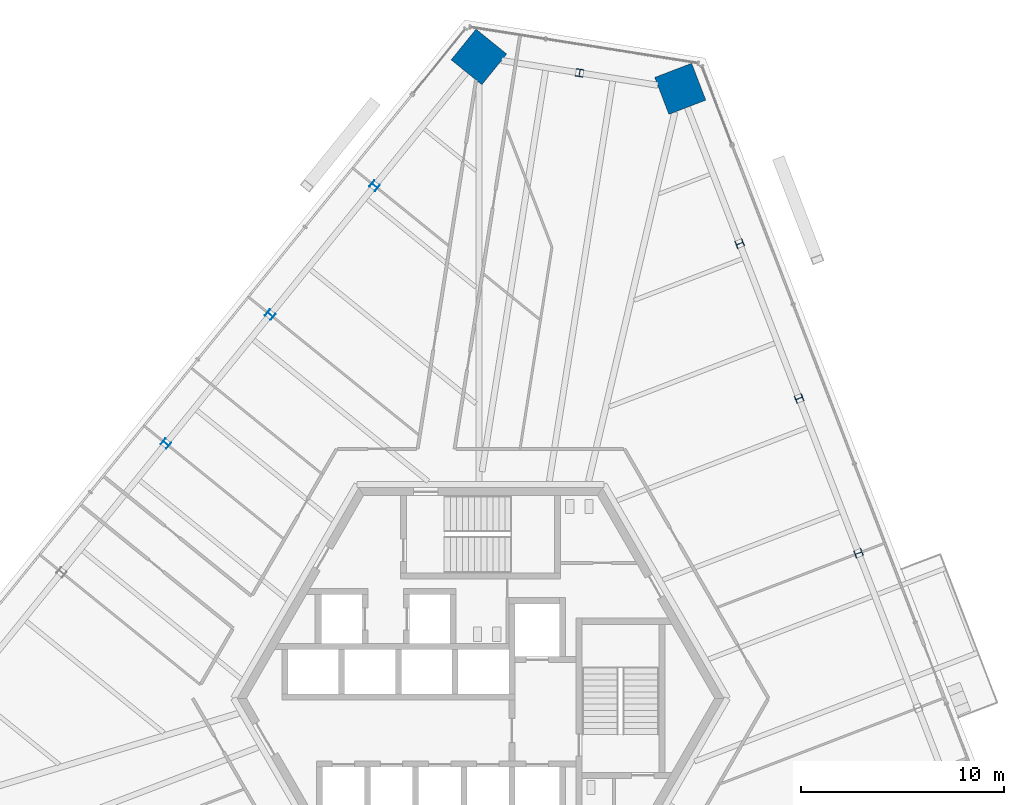
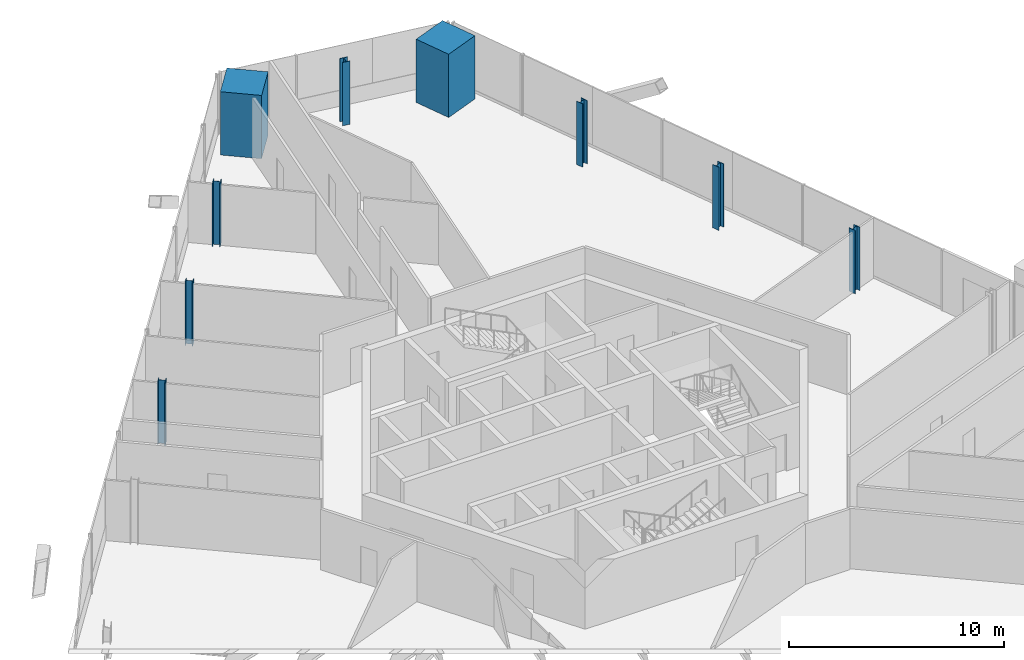
# One storey, part 3 of 19: 9 columns.
"""IFC4 building model written with IfcOpenShell, lengths in metres."""

from ifc_helpers import new_model, si_unit, direction, frame, origin, origin_2d, place, context, subcontext, project, spatial, rectangle, i_section, extrude, source, transform, mapped, material, material_profile, profile_set, type_object, element, save


model = new_model("IFC4")

# Units and contexts
model_context = context("Model", 3, precision=1e-05, world=origin(), true_north=direction((0.0, 1.0)))
body_context = subcontext(model_context, "Body", "Model", "MODEL_VIEW")
ifc_project = project(units=[si_unit("LENGTHUNIT", "METRE"), si_unit("AREAUNIT", "SQUARE_METRE"), si_unit("VOLUMEUNIT", "CUBIC_METRE"), si_unit("PLANEANGLEUNIT", "RADIAN"), si_unit("MASSUNIT", "GRAM", prefix="KILO")], contexts=[model_context])

# Site, building, storey
site_placement = place(None, origin())
site = spatial("IfcSite", under=ifc_project, at=site_placement, CompositionType="ELEMENT")
building_placement = place(site_placement, origin())
building = spatial("IfcBuilding", under=site, at=building_placement, Name="Triune Harvest Tower", CompositionType="ELEMENT")
storey_placement = place(building_placement, frame((0.0, 0.0, 142.5)))
storey = spatial("IfcBuildingStorey", under=building, at=storey_placement, Name="L36", CompositionType="ELEMENT", Elevation=142.5)

# Columns
ifc_material_1 = material(Name="Concrete 70 MPa", Category="concrete")
ifc_material_profile_1 = material_profile(ifc_material_1, rectangle(XDim=1.949951171875, YDim=1.949951171875, at=origin_2d()), Name="Composite 1950x1950")
ifc_profile_set_1 = profile_set([ifc_material_profile_1], Name="Concrete 70 MPa")
column_type_1 = type_object("IfcColumnType", Name="MC-4 Mega column Composite 1950x1950", PredefinedType="COLUMN", material=ifc_profile_set_1)
shared_shape_1 = source(origin(), body_context, "Body", "SweptSolid", [
    extrude(rectangle(XDim=1.949951171875, YDim=1.949951171875, at=origin_2d()), origin(), (0.0, 0.0, 1.0), 3.60009765625),
])
for number, where, z_axis, x_axis, name in (
    (1, (9.846923828125, 30.0498046875, 0.0), (0.0, 0.0, 1.0), (-0.358367949545, 0.933580426497, 0.0), "col/L36/M6"),
    (2, (-0.0791015625, 31.621826171875, 0.0), (0.0, 0.0, 1.0), (-0.629321747424, -0.777144863084, 0.0), "col/L36/M8"),
):
    element("IfcColumn", number, at=place(storey_placement, frame(where, z_axis=z_axis, x_axis=x_axis)), inside=storey, type_object=column_type_1, Name=name, PredefinedType="COLUMN", context=body_context, shape_type="MappedRepresentation", body=[
        mapped(shared_shape_1, transform((0.0, 0.0, 0.0), scale=1.0)),
    ])
ifc_material_2 = material(Name="Steel ASTM A992 Gr 50", Category="steel")
ifc_material_profile_2 = material_profile(ifc_material_2, i_section(OverallWidth=0.373291015625, OverallDepth=0.373291015625, WebThickness=0.016357421875, FlangeThickness=0.026123046875, at=origin_2d()), Name="W14x132")
ifc_profile_set_2 = profile_set([ifc_material_profile_2], Name="Steel ASTM A992 Gr 50")
column_type_2 = type_object("IfcColumnType", Name="PC-4 Perimeter column W14x132", PredefinedType="COLUMN", material=ifc_profile_set_2)
shared_shape_2 = source(origin(), body_context, "Body", "SweptSolid", [
    extrude(i_section(OverallWidth=0.373291015625, OverallDepth=0.373291015625, WebThickness=0.016357421875, FlangeThickness=0.026123046875, at=origin_2d()), origin(), (0.0, 0.0, 1.0), 3.60009765625),
])
for number, where, z_axis, x_axis, name in (
    (3, (18.635986328125, 7.15380859375, 0.0), (0.0, 0.0, 1.0), (-0.358367949545, 0.933580426497, 0.0), "col/L36/P3"),
    (4, (15.706298828125, 14.78564453125, 0.0), (0.0, 0.0, 1.0), (-0.358367949545, 0.933580426497, 0.0), "col/L36/P4"),
    (5, (12.776611328125, 22.417724609375, 0.0), (0.0, 0.0, 1.0), (-0.358367949545, 0.933580426497, 0.0), "col/L36/P5"),
    (6, (4.8837890625, 30.8359375, 0.0), (0.0, 0.0, 1.0), (-0.987688340595, 0.15643446504, 0.0), "col/L36/P7"),
    (7, (-5.223876953125, 25.268798828125, 0.0), (0.0, 0.0, 1.0), (-0.629321747424, -0.777144863084, 0.0), "col/L36/P9"),
    (8, (-10.36865234375, 18.91552734375, 0.0), (0.0, 0.0, 1.0), (-0.629321747424, -0.777144863084, 0.0), "col/L36/P10"),
    (9, (-15.51318359375, 12.5625, 0.0), (0.0, 0.0, 1.0), (-0.629321747424, -0.777144863084, 0.0), "col/L36/P11"),
):
    element("IfcColumn", number, at=place(storey_placement, frame(where, z_axis=z_axis, x_axis=x_axis)), inside=storey, type_object=column_type_2, Name=name, PredefinedType="COLUMN", context=body_context, shape_type="MappedRepresentation", body=[
        mapped(shared_shape_2, transform((0.0, 0.0, 0.0), scale=1.0)),
    ])

save(model, "model.ifc")
